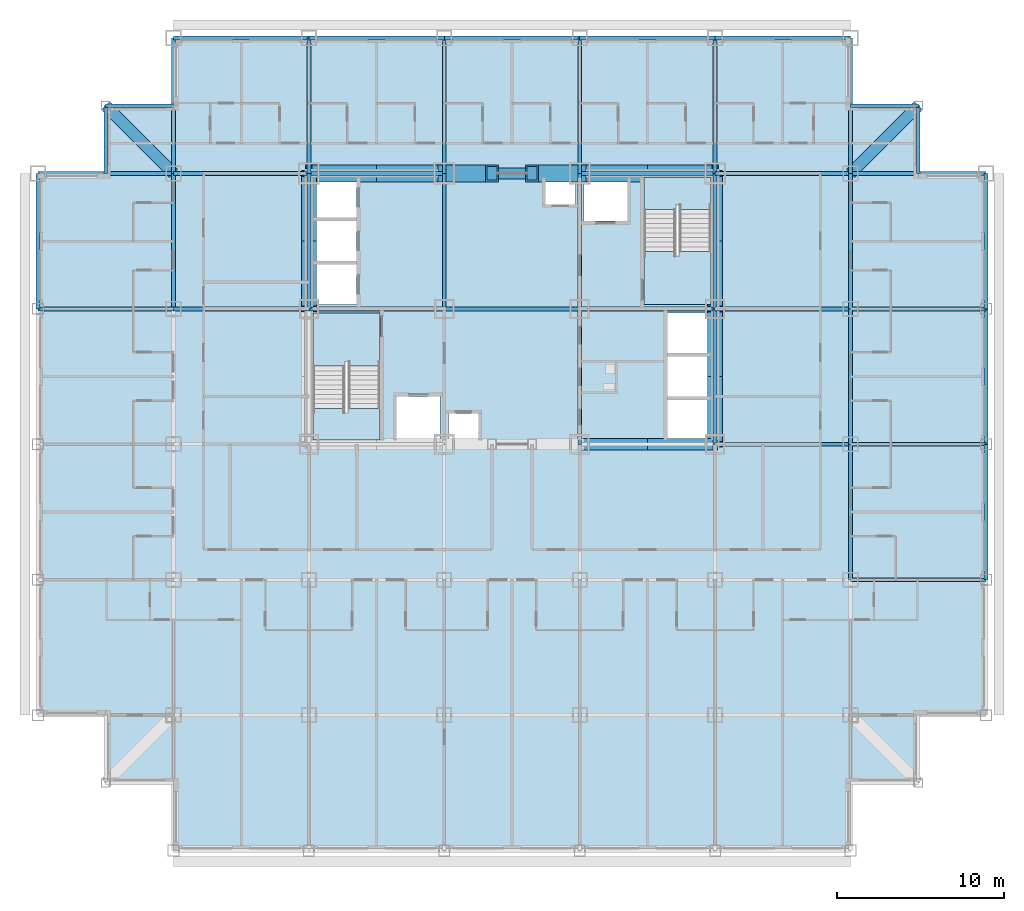
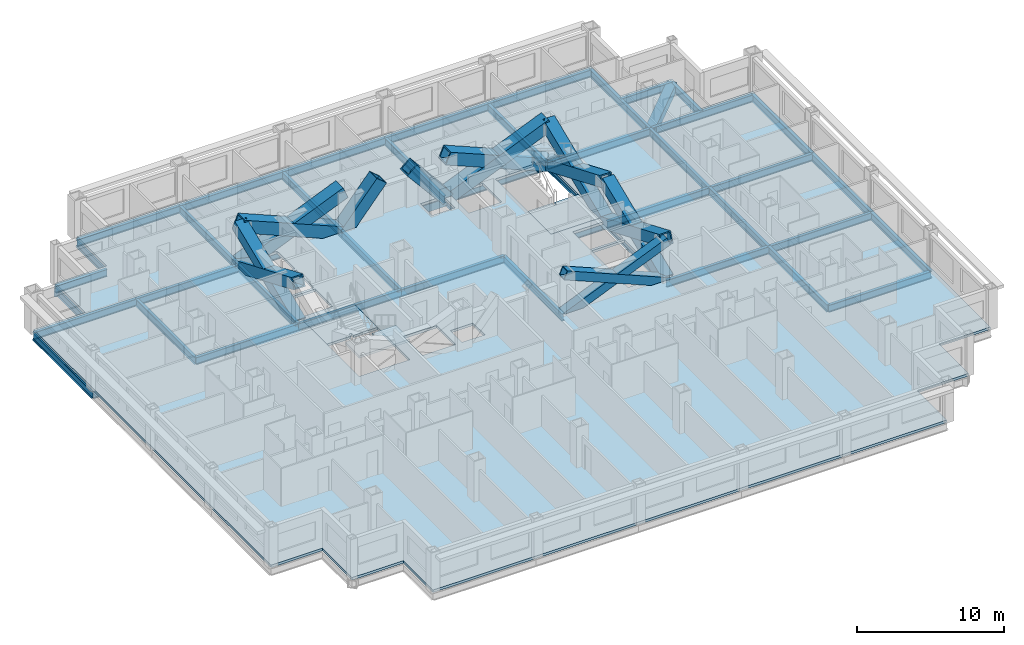
# One storey, part 2 of 13: 48 beams, 14 members, 5 slabs, 2 elements without a shape of their own.
"""IFC4 building model written with IfcOpenShell, lengths in metres."""

from ifc_helpers import new_model, si_unit, direction, frame, origin, origin_2d, place, context, subcontext, project, spatial, polyline, hollow_rectangle, i_section, outline, extrude, material, layer, layer_set, material_profile, profile_set, type_object, element, aggregate, save


model = new_model("IFC4")

# Units and contexts
model_context = context("Model", 3, precision=1e-05, world=origin(), true_north=direction((0.0, 1.0)))
body_context = subcontext(model_context, "Body", "Model", "MODEL_VIEW")
ifc_project = project(units=[si_unit("LENGTHUNIT", "METRE"), si_unit("AREAUNIT", "SQUARE_METRE"), si_unit("VOLUMEUNIT", "CUBIC_METRE"), si_unit("PLANEANGLEUNIT", "RADIAN"), si_unit("MASSUNIT", "GRAM", prefix="KILO")], contexts=[model_context])

# Site, building, storey
site_placement = place(None, origin())
site = spatial("IfcSite", under=ifc_project, at=site_placement, CompositionType="ELEMENT")
building_placement = place(site_placement, origin())
building = spatial("IfcBuilding", under=site, at=building_placement, Name="Kopane Lantern Tower", CompositionType="ELEMENT")
storey_placement = place(building_placement, frame((0.0, 0.0, 50.0)))
storey = spatial("IfcBuildingStorey", under=building, at=storey_placement, Name="L11", CompositionType="ELEMENT", Elevation=50.0)

# Members
ifc_material_1 = material(Name="Steel S355JR", Category="steel")
ifc_material_profile_1 = material_profile(ifc_material_1, hollow_rectangle(XDim=1.0, YDim=1.0, WallThickness=0.10009765625, at=origin_2d()), Name="BOX 1000x1000x100")
ifc_profile_set_1 = profile_set([ifc_material_profile_1], Name="Steel S355JR")
member_type_1 = type_object("IfcMemberType", Name="BRACE BOX 1000x1000x100", PredefinedType="BRACE", material=ifc_profile_set_1)
for number, where, z_axis, x_axis, name in (
    (1, (16.199951171875, 40.5, -0.2099609375), (0.922069000757, 0.0, 0.387025526088), (0.0, 1.0, 0.0), "Core brace L11"),
    (2, (24.300048828125, 40.5, -0.2099609375), (-0.922069000757, 0.0, 0.387025526088), (0.0, -1.0, 0.0), "Core brace L11"),
):
    element("IfcMember", number, at=place(storey_placement, frame(where, z_axis=z_axis, x_axis=x_axis)), inside=storey, type_object=member_type_1, Name=name, PredefinedType="BRACE", context=body_context, shape_type="SweptSolid", body=[
        extrude(hollow_rectangle(XDim=1.0, YDim=1.0, WallThickness=0.10009765625, at=origin_2d()), origin(), (0.0, 0.0, 1.0), 8.78466796875),
    ])
for number, where, z_axis, x_axis, name in (
    (3, (24.300048828125, 40.5, -0.2099609375), (0.642390257445, 0.0, 0.7663776857), (0.0, 1.0, 0.0), "Core brace L11"),
    (4, (32.39990234375, 40.5, -0.2099609375), (-0.642390257445, 0.0, 0.7663776857), (0.0, -1.0, 0.0), "Core brace L11"),
):
    element("IfcMember", number, at=place(storey_placement, frame(where, z_axis=z_axis, x_axis=x_axis)), inside=storey, type_object=member_type_1, Name=name, PredefinedType="BRACE", context=body_context, shape_type="SweptSolid", body=[
        extrude(hollow_rectangle(XDim=1.0, YDim=1.0, WallThickness=0.10009765625, at=origin_2d()), origin(), (0.0, 0.0, 1.0), 4.436279296875),
    ])
for number, where, z_axis, x_axis, name in (
    (5, (32.39990234375, 40.5, -0.2099609375), (0.922069000757, 0.0, 0.387025526088), (0.0, 1.0, 0.0), "Core brace L11"),
    (6, (40.5, 40.5, -0.2099609375), (-0.922069000757, 0.0, 0.387025526088), (0.0, -1.0, 0.0), "Core brace L11"),
):
    element("IfcMember", number, at=place(storey_placement, frame(where, z_axis=z_axis, x_axis=x_axis)), inside=storey, type_object=member_type_1, Name=name, PredefinedType="BRACE", context=body_context, shape_type="SweptSolid", body=[
        extrude(hollow_rectangle(XDim=1.0, YDim=1.0, WallThickness=0.10009765625, at=origin_2d()), origin(), (0.0, 0.0, 1.0), 8.78466796875),
    ])
ifc_material_2 = material(Name="Steel S355JR", Category="steel")
ifc_material_profile_2 = material_profile(ifc_material_2, hollow_rectangle(XDim=0.699951171875, YDim=0.699951171875, WallThickness=0.06005859375, at=origin_2d()), Name="BOX 700x700x60")
ifc_profile_set_2 = profile_set([ifc_material_profile_2], Name="Steel S355JR")
member_type_2 = type_object("IfcMemberType", Name="BRACE BOX 700x700x60", PredefinedType="BRACE", material=ifc_profile_set_2)
for number, where, z_axis, x_axis, name in (
    (7, (32.39990234375, 24.300048828125, -0.2099609375), (0.922069000757, 0.0, 0.387025526088), (0.0, 1.0, 0.0), "Core brace L11"),
    (8, (40.5, 24.300048828125, -0.2099609375), (-0.922069000757, 0.0, 0.387025526088), (0.0, -1.0, 0.0), "Core brace L11"),
):
    element("IfcMember", number, at=place(storey_placement, frame(where, z_axis=z_axis, x_axis=x_axis)), inside=storey, type_object=member_type_2, Name=name, PredefinedType="BRACE", context=body_context, shape_type="SweptSolid", body=[
        extrude(hollow_rectangle(XDim=0.699951171875, YDim=0.699951171875, WallThickness=0.06005859375, at=origin_2d()), origin(), (0.0, 0.0, 1.0), 8.78466796875),
    ])
ifc_material_3 = material(Name="Steel S355JR", Category="steel")
ifc_material_profile_3 = material_profile(ifc_material_3, hollow_rectangle(XDim=0.89990234375, YDim=0.89990234375, WallThickness=0.090087890625, at=origin_2d()), Name="BOX 900x900x90")
ifc_profile_set_3 = profile_set([ifc_material_profile_3], Name="Steel S355JR")
member_type_3 = type_object("IfcMemberType", Name="BRACE BOX 900x900x90", PredefinedType="BRACE", material=ifc_profile_set_3)
for number, where, z_axis, x_axis, name in (
    (9, (16.199951171875, 32.39990234375, -0.2099609375), (0.0, 0.922069000757, 0.387025526088), (-1.0, 0.0, 0.0), "Core brace L11"),
    (10, (16.199951171875, 40.5, -0.2099609375), (0.0, -0.922069000757, 0.387025526088), (1.0, 0.0, 0.0), "Core brace L11"),
):
    element("IfcMember", number, at=place(storey_placement, frame(where, z_axis=z_axis, x_axis=x_axis)), inside=storey, type_object=member_type_3, Name=name, PredefinedType="BRACE", context=body_context, shape_type="SweptSolid", body=[
        extrude(hollow_rectangle(XDim=0.89990234375, YDim=0.89990234375, WallThickness=0.090087890625, at=origin_2d()), origin(), (0.0, 0.0, 1.0), 8.78466796875),
    ])
for number, where, z_axis, x_axis, name in (
    (11, (40.5, 24.300048828125, -0.2099609375), (0.0, 0.922064837731, 0.38703544414), (-1.0, 0.0, 0.0), "Core brace L11"),
    (12, (40.5, 32.39990234375, -0.2099609375), (0.0, -0.922064837731, 0.38703544414), (1.0, 0.0, 0.0), "Core brace L11"),
):
    element("IfcMember", number, at=place(storey_placement, frame(where, z_axis=z_axis, x_axis=x_axis)), inside=storey, type_object=member_type_3, Name=name, PredefinedType="BRACE", context=body_context, shape_type="SweptSolid", body=[
        extrude(hollow_rectangle(XDim=0.89990234375, YDim=0.89990234375, WallThickness=0.090087890625, at=origin_2d()), origin(), (0.0, 0.0, 1.0), 8.784423828125),
    ])
for number, where, z_axis, x_axis, name in (
    (13, (40.5, 32.39990234375, -0.2099609375), (0.0, 0.922069000757, 0.387025526088), (-1.0, 0.0, 0.0), "Core brace L11"),
    (14, (40.5, 40.5, -0.2099609375), (0.0, -0.922069000757, 0.387025526088), (1.0, 0.0, 0.0), "Core brace L11"),
):
    element("IfcMember", number, at=place(storey_placement, frame(where, z_axis=z_axis, x_axis=x_axis)), inside=storey, type_object=member_type_3, Name=name, PredefinedType="BRACE", context=body_context, shape_type="SweptSolid", body=[
        extrude(hollow_rectangle(XDim=0.89990234375, YDim=0.89990234375, WallThickness=0.090087890625, at=origin_2d()), origin(), (0.0, 0.0, 1.0), 8.78466796875),
    ])

# Beams
ifc_material_4 = material(Name="Steel S355JR", Category="steel")
ifc_material_profile_4 = material_profile(ifc_material_4, i_section(OverallWidth=0.22900390625, OverallDepth=0.6123046875, WebThickness=0.011962890625, FlangeThickness=0.01953125, FilletRadius=0.0126953125, at=origin_2d()), Name="UB 610x229x125")
ifc_profile_set_4 = profile_set([ifc_material_profile_4], Name="Steel S355JR")
beam_type_1 = type_object("IfcBeamType", Name="CORE BEAM UB 610x229x125", PredefinedType="BEAM", material=ifc_profile_set_4)
for number, where, z_axis, x_axis, name in (
    (15, (16.199951171875, 32.39990234375, -0.51611328125), (1.0, 0.0, 0.0), (0.0, 1.0, 0.0), "Core Beam L11"),
    (16, (24.300048828125, 32.39990234375, -0.51611328125), (0.0, 1.0, 0.0), (-1.0, 0.0, 0.0), "Core Beam L11"),
):
    element("IfcBeam", number, at=place(storey_placement, frame(where, z_axis=z_axis, x_axis=x_axis)), inside=storey, type_object=beam_type_1, Name=name, PredefinedType="BEAM", context=body_context, shape_type="SweptSolid", body=[
        extrude(i_section(OverallWidth=0.22900390625, OverallDepth=0.6123046875, WebThickness=0.011962890625, FlangeThickness=0.01953125, FilletRadius=0.0126953125, at=origin_2d()), origin(), (0.0, 0.0, 1.0), 8.10009765625),
    ])
for number, where, z_axis, x_axis, name in (
    (17, (24.300048828125, 32.39990234375, -0.51611328125), (1.0, 0.0, 0.0), (0.0, 1.0, 0.0), "Core Beam L11"),
    (18, (32.39990234375, 24.300048828125, -0.51611328125), (0.0, 1.0, 0.0), (-1.0, 0.0, 0.0), "Core Beam L11"),
):
    element("IfcBeam", number, at=place(storey_placement, frame(where, z_axis=z_axis, x_axis=x_axis)), inside=storey, type_object=beam_type_1, Name=name, PredefinedType="BEAM", context=body_context, shape_type="SweptSolid", body=[
        extrude(i_section(OverallWidth=0.22900390625, OverallDepth=0.6123046875, WebThickness=0.011962890625, FlangeThickness=0.01953125, FilletRadius=0.0126953125, at=origin_2d()), origin(), (0.0, 0.0, 1.0), 8.099853515625),
    ])
for number, where, z_axis, x_axis, name in (
    (19, (32.39990234375, 32.39990234375, -0.51611328125), (0.0, 1.0, 0.0), (-1.0, 0.0, 0.0), "Core Beam L11"),
    (20, (32.39990234375, 32.39990234375, -0.51611328125), (1.0, 0.0, 0.0), (0.0, 1.0, 0.0), "Core Beam L11"),
):
    element("IfcBeam", number, at=place(storey_placement, frame(where, z_axis=z_axis, x_axis=x_axis)), inside=storey, type_object=beam_type_1, Name=name, PredefinedType="BEAM", context=body_context, shape_type="SweptSolid", body=[
        extrude(i_section(OverallWidth=0.22900390625, OverallDepth=0.6123046875, WebThickness=0.011962890625, FlangeThickness=0.01953125, FilletRadius=0.0126953125, at=origin_2d()), origin(), (0.0, 0.0, 1.0), 8.10009765625),
    ])
ifc_material_5 = material(Name="Steel S355JR", Category="steel")
ifc_material_profile_5 = material_profile(ifc_material_5, hollow_rectangle(XDim=0.699951171875, YDim=0.699951171875, WallThickness=0.06005859375, at=origin_2d()), Name="BOX 700x700x60")
ifc_profile_set_5 = profile_set([ifc_material_profile_5], Name="Steel S355JR")
beam_type_2 = type_object("IfcBeamType", Name="CORNER TIE BEAM BOX 700x700x60", PredefinedType="BEAM", material=ifc_profile_set_5)
for number, where, z_axis, x_axis, name in (
    (21, (4.050048828125, 44.550048828125, -0.56005859375), (0.707106781187, -0.707106781187, 0.0), (0.707106781187, 0.707106781187, 0.0), "Corner Tie Beam L11"),
    (22, (52.64990234375, 44.550048828125, -0.56005859375), (-0.707085467703, -0.707128094028, 0.0), (0.707128094028, -0.707085467703, 0.0), "Corner Tie Beam L11"),
):
    element("IfcBeam", number, at=place(storey_placement, frame(where, z_axis=z_axis, x_axis=x_axis)), inside=storey, type_object=beam_type_2, Name=name, PredefinedType="BEAM", context=body_context, shape_type="SweptSolid", body=[
        extrude(hollow_rectangle(XDim=0.699951171875, YDim=0.699951171875, WallThickness=0.06005859375, at=origin_2d()), origin(), (0.0, 0.0, 1.0), 5.7275390625),
    ])
ifc_material_6 = material(Name="Steel S355JR", Category="steel")
ifc_material_profile_6 = material_profile(ifc_material_6, i_section(OverallWidth=0.22900390625, OverallDepth=0.6123046875, WebThickness=0.011962890625, FlangeThickness=0.01953125, FilletRadius=0.0126953125, at=origin_2d()), Name="UB 610x229x125")
ifc_profile_set_6 = profile_set([ifc_material_profile_6], Name="Steel S355JR")
beam_type_3 = type_object("IfcBeamType", Name="EDGE BEAM UB 610x229x125", PredefinedType="BEAM", material=ifc_profile_set_6)
for number, where, z_axis, x_axis, name in (
    (23, (4.050048828125, 44.550048828125, -0.51611328125), (0.0, -1.0, 0.0), (1.0, 0.0, 0.0), "Edge Beam L11"),
    (24, (4.050048828125, 44.550048828125, -0.51611328125), (1.0, 0.0, 0.0), (0.0, 1.0, 0.0), "Edge Beam L11"),
):
    element("IfcBeam", number, at=place(storey_placement, frame(where, z_axis=z_axis, x_axis=x_axis)), inside=storey, type_object=beam_type_3, Name=name, PredefinedType="BEAM", context=body_context, shape_type="SweptSolid", body=[
        extrude(i_section(OverallWidth=0.22900390625, OverallDepth=0.6123046875, WebThickness=0.011962890625, FlangeThickness=0.01953125, FilletRadius=0.0126953125, at=origin_2d()), origin(), (0.0, 0.0, 1.0), 4.050048828125),
    ])
beam_1_placement = place(storey_placement, frame((52.64990234375, 44.550048828125, -0.51611328125), z_axis=(-1.0, 0.0, 0.0), x_axis=(0.0, -1.0, 0.0)))
element("IfcBeam", 25, at=beam_1_placement, inside=storey, type_object=beam_type_3, Name="Edge Beam L11", PredefinedType="BEAM", context=body_context, shape_type="SweptSolid", body=[
    extrude(i_section(OverallWidth=0.22900390625, OverallDepth=0.6123046875, WebThickness=0.011962890625, FlangeThickness=0.01953125, FilletRadius=0.0126953125, at=origin_2d()), origin(), (0.0, 0.0, 1.0), 4.0498046875),
])
beam_2_placement = place(storey_placement, frame((52.64990234375, 44.550048828125, -0.51611328125), z_axis=(0.0, -1.0, 0.0), x_axis=(1.0, 0.0, 0.0)))
element("IfcBeam", 26, at=beam_2_placement, inside=storey, type_object=beam_type_3, Name="Edge Beam L11", PredefinedType="BEAM", context=body_context, shape_type="SweptSolid", body=[
    extrude(i_section(OverallWidth=0.22900390625, OverallDepth=0.6123046875, WebThickness=0.011962890625, FlangeThickness=0.01953125, FilletRadius=0.0126953125, at=origin_2d()), origin(), (0.0, 0.0, 1.0), 4.050048828125),
])
ifc_material_7 = material(Name="Steel S355JR", Category="steel")
ifc_material_profile_7 = material_profile(ifc_material_7, i_section(OverallWidth=0.22900390625, OverallDepth=0.6123046875, WebThickness=0.011962890625, FlangeThickness=0.01953125, FilletRadius=0.0126953125, at=origin_2d()), Name="UB 610x229x125")
ifc_profile_set_7 = profile_set([ifc_material_profile_7], Name="Steel S355JR")
beam_type_4 = type_object("IfcBeamType", Name="GIRDER UB 610x229x125", PredefinedType="BEAM", material=ifc_profile_set_7)
for number, where, z_axis, x_axis, name in (
    (27, (0.0, 32.39990234375, -0.51611328125), (0.0, 1.0, 0.0), (-1.0, 0.0, 0.0), "Girder L11"),
    (28, (0.0, 32.39990234375, -0.51611328125), (1.0, 0.0, 0.0), (0.0, 1.0, 0.0), "Girder L11"),
    (29, (0.0, 40.5, -0.51611328125), (1.0, 0.0, 0.0), (0.0, 1.0, 0.0), "Girder L11"),
    (30, (8.10009765625, 32.39990234375, -0.51611328125), (0.0, 1.0, 0.0), (-1.0, 0.0, 0.0), "Girder L11"),
):
    element("IfcBeam", number, at=place(storey_placement, frame(where, z_axis=z_axis, x_axis=x_axis)), inside=storey, type_object=beam_type_4, Name=name, PredefinedType="BEAM", context=body_context, shape_type="SweptSolid", body=[
        extrude(i_section(OverallWidth=0.22900390625, OverallDepth=0.6123046875, WebThickness=0.011962890625, FlangeThickness=0.01953125, FilletRadius=0.0126953125, at=origin_2d()), origin(), (0.0, 0.0, 1.0), 8.10009765625),
    ])
beam_3_placement = place(storey_placement, frame((8.10009765625, 32.39990234375, -0.51611328125), z_axis=(1.0, 0.0, 0.0), x_axis=(0.0, 1.0, 0.0)))
element("IfcBeam", 31, at=beam_3_placement, inside=storey, type_object=beam_type_4, Name="Girder L11", PredefinedType="BEAM", context=body_context, shape_type="SweptSolid", body=[
    extrude(i_section(OverallWidth=0.22900390625, OverallDepth=0.6123046875, WebThickness=0.011962890625, FlangeThickness=0.01953125, FilletRadius=0.0126953125, at=origin_2d()), origin(), (0.0, 0.0, 1.0), 8.099853515625),
])
beam_4_placement = place(storey_placement, frame((8.10009765625, 40.5, -0.51611328125), z_axis=(0.0, 1.0, 0.0), x_axis=(-1.0, 0.0, 0.0)))
element("IfcBeam", 32, at=beam_4_placement, inside=storey, type_object=beam_type_4, Name="Girder L11", PredefinedType="BEAM", context=body_context, shape_type="SweptSolid", body=[
    extrude(i_section(OverallWidth=0.22900390625, OverallDepth=0.6123046875, WebThickness=0.011962890625, FlangeThickness=0.01953125, FilletRadius=0.0126953125, at=origin_2d()), origin(), (0.0, 0.0, 1.0), 8.10009765625),
])
for number, where, z_axis, x_axis, name in (
    (33, (8.10009765625, 40.5, -0.51611328125), (1.0, 0.0, 0.0), (0.0, 1.0, 0.0), "Girder L11"),
    (34, (8.10009765625, 48.60009765625, -0.51611328125), (1.0, 0.0, 0.0), (0.0, 1.0, 0.0), "Girder L11"),
):
    element("IfcBeam", number, at=place(storey_placement, frame(where, z_axis=z_axis, x_axis=x_axis)), inside=storey, type_object=beam_type_4, Name=name, PredefinedType="BEAM", context=body_context, shape_type="SweptSolid", body=[
        extrude(i_section(OverallWidth=0.22900390625, OverallDepth=0.6123046875, WebThickness=0.011962890625, FlangeThickness=0.01953125, FilletRadius=0.0126953125, at=origin_2d()), origin(), (0.0, 0.0, 1.0), 8.099853515625),
    ])
for number, where, z_axis, x_axis, name in (
    (35, (16.199951171875, 32.39990234375, -0.51611328125), (0.0, 1.0, 0.0), (-1.0, 0.0, 0.0), "Girder L11"),
    (36, (16.199951171875, 40.5, -0.51611328125), (0.0, 1.0, 0.0), (-1.0, 0.0, 0.0), "Girder L11"),
    (37, (16.199951171875, 40.5, -0.51611328125), (1.0, 0.0, 0.0), (0.0, 1.0, 0.0), "Girder L11"),
    (38, (16.199951171875, 48.60009765625, -0.51611328125), (1.0, 0.0, 0.0), (0.0, 1.0, 0.0), "Girder L11"),
    (39, (24.300048828125, 40.5, -0.51611328125), (0.0, 1.0, 0.0), (-1.0, 0.0, 0.0), "Girder L11"),
):
    element("IfcBeam", number, at=place(storey_placement, frame(where, z_axis=z_axis, x_axis=x_axis)), inside=storey, type_object=beam_type_4, Name=name, PredefinedType="BEAM", context=body_context, shape_type="SweptSolid", body=[
        extrude(i_section(OverallWidth=0.22900390625, OverallDepth=0.6123046875, WebThickness=0.011962890625, FlangeThickness=0.01953125, FilletRadius=0.0126953125, at=origin_2d()), origin(), (0.0, 0.0, 1.0), 8.10009765625),
    ])
beam_5_placement = place(storey_placement, frame((24.300048828125, 48.60009765625, -0.51611328125), z_axis=(1.0, 0.0, 0.0), x_axis=(0.0, 1.0, 0.0)))
element("IfcBeam", 40, at=beam_5_placement, inside=storey, type_object=beam_type_4, Name="Girder L11", PredefinedType="BEAM", context=body_context, shape_type="SweptSolid", body=[
    extrude(i_section(OverallWidth=0.22900390625, OverallDepth=0.6123046875, WebThickness=0.011962890625, FlangeThickness=0.01953125, FilletRadius=0.0126953125, at=origin_2d()), origin(), (0.0, 0.0, 1.0), 8.099853515625),
])
for number, where, z_axis, x_axis, name in (
    (41, (32.39990234375, 40.5, -0.51611328125), (0.0, 1.0, 0.0), (-1.0, 0.0, 0.0), "Girder L11"),
    (42, (32.39990234375, 40.5, -0.51611328125), (1.0, 0.0, 0.0), (0.0, 1.0, 0.0), "Girder L11"),
    (43, (32.39990234375, 48.60009765625, -0.51611328125), (1.0, 0.0, 0.0), (0.0, 1.0, 0.0), "Girder L11"),
):
    element("IfcBeam", number, at=place(storey_placement, frame(where, z_axis=z_axis, x_axis=x_axis)), inside=storey, type_object=beam_type_4, Name=name, PredefinedType="BEAM", context=body_context, shape_type="SweptSolid", body=[
        extrude(i_section(OverallWidth=0.22900390625, OverallDepth=0.6123046875, WebThickness=0.011962890625, FlangeThickness=0.01953125, FilletRadius=0.0126953125, at=origin_2d()), origin(), (0.0, 0.0, 1.0), 8.10009765625),
    ])
beam_6_placement = place(storey_placement, frame((40.5, 24.300048828125, -0.51611328125), z_axis=(0.0, 1.0, 0.0), x_axis=(-1.0, 0.0, 0.0)))
element("IfcBeam", 44, at=beam_6_placement, inside=storey, type_object=beam_type_4, Name="Girder L11", PredefinedType="BEAM", context=body_context, shape_type="SweptSolid", body=[
    extrude(i_section(OverallWidth=0.22900390625, OverallDepth=0.6123046875, WebThickness=0.011962890625, FlangeThickness=0.01953125, FilletRadius=0.0126953125, at=origin_2d()), origin(), (0.0, 0.0, 1.0), 8.099853515625),
])
for number, where, z_axis, x_axis, name in (
    (45, (40.5, 24.300048828125, -0.51611328125), (1.0, 0.0, 0.0), (0.0, 1.0, 0.0), "Girder L11"),
    (46, (40.5, 32.39990234375, -0.51611328125), (0.0, 1.0, 0.0), (-1.0, 0.0, 0.0), "Girder L11"),
    (47, (40.5, 32.39990234375, -0.51611328125), (1.0, 0.0, 0.0), (0.0, 1.0, 0.0), "Girder L11"),
    (48, (40.5, 40.5, -0.51611328125), (0.0, 1.0, 0.0), (-1.0, 0.0, 0.0), "Girder L11"),
    (49, (40.5, 40.5, -0.51611328125), (1.0, 0.0, 0.0), (0.0, 1.0, 0.0), "Girder L11"),
    (50, (40.5, 48.60009765625, -0.51611328125), (1.0, 0.0, 0.0), (0.0, 1.0, 0.0), "Girder L11"),
    (51, (48.60009765625, 16.199951171875, -0.51611328125), (0.0, 1.0, 0.0), (-1.0, 0.0, 0.0), "Girder L11"),
):
    element("IfcBeam", number, at=place(storey_placement, frame(where, z_axis=z_axis, x_axis=x_axis)), inside=storey, type_object=beam_type_4, Name=name, PredefinedType="BEAM", context=body_context, shape_type="SweptSolid", body=[
        extrude(i_section(OverallWidth=0.22900390625, OverallDepth=0.6123046875, WebThickness=0.011962890625, FlangeThickness=0.01953125, FilletRadius=0.0126953125, at=origin_2d()), origin(), (0.0, 0.0, 1.0), 8.10009765625),
    ])
for number, where, z_axis, x_axis, name in (
    (52, (48.60009765625, 16.199951171875, -0.51611328125), (1.0, 0.0, 0.0), (0.0, 1.0, 0.0), "Girder L11"),
    (53, (48.60009765625, 24.300048828125, -0.51611328125), (0.0, 1.0, 0.0), (-1.0, 0.0, 0.0), "Girder L11"),
    (54, (48.60009765625, 24.300048828125, -0.51611328125), (1.0, 0.0, 0.0), (0.0, 1.0, 0.0), "Girder L11"),
):
    element("IfcBeam", number, at=place(storey_placement, frame(where, z_axis=z_axis, x_axis=x_axis)), inside=storey, type_object=beam_type_4, Name=name, PredefinedType="BEAM", context=body_context, shape_type="SweptSolid", body=[
        extrude(i_section(OverallWidth=0.22900390625, OverallDepth=0.6123046875, WebThickness=0.011962890625, FlangeThickness=0.01953125, FilletRadius=0.0126953125, at=origin_2d()), origin(), (0.0, 0.0, 1.0), 8.099853515625),
    ])
beam_7_placement = place(storey_placement, frame((48.60009765625, 32.39990234375, -0.51611328125), z_axis=(0.0, 1.0, 0.0), x_axis=(-1.0, 0.0, 0.0)))
element("IfcBeam", 55, at=beam_7_placement, inside=storey, type_object=beam_type_4, Name="Girder L11", PredefinedType="BEAM", context=body_context, shape_type="SweptSolid", body=[
    extrude(i_section(OverallWidth=0.22900390625, OverallDepth=0.6123046875, WebThickness=0.011962890625, FlangeThickness=0.01953125, FilletRadius=0.0126953125, at=origin_2d()), origin(), (0.0, 0.0, 1.0), 8.10009765625),
])
beam_8_placement = place(storey_placement, frame((48.60009765625, 32.39990234375, -0.51611328125), z_axis=(1.0, 0.0, 0.0), x_axis=(0.0, 1.0, 0.0)))
element("IfcBeam", 56, at=beam_8_placement, inside=storey, type_object=beam_type_4, Name="Girder L11", PredefinedType="BEAM", context=body_context, shape_type="SweptSolid", body=[
    extrude(i_section(OverallWidth=0.22900390625, OverallDepth=0.6123046875, WebThickness=0.011962890625, FlangeThickness=0.01953125, FilletRadius=0.0126953125, at=origin_2d()), origin(), (0.0, 0.0, 1.0), 8.099853515625),
])
beam_9_placement = place(storey_placement, frame((48.60009765625, 40.5, -0.51611328125), z_axis=(0.0, 1.0, 0.0), x_axis=(-1.0, 0.0, 0.0)))
element("IfcBeam", 57, at=beam_9_placement, inside=storey, type_object=beam_type_4, Name="Girder L11", PredefinedType="BEAM", context=body_context, shape_type="SweptSolid", body=[
    extrude(i_section(OverallWidth=0.22900390625, OverallDepth=0.6123046875, WebThickness=0.011962890625, FlangeThickness=0.01953125, FilletRadius=0.0126953125, at=origin_2d()), origin(), (0.0, 0.0, 1.0), 8.10009765625),
])
beam_10_placement = place(storey_placement, frame((48.60009765625, 40.5, -0.51611328125), z_axis=(1.0, 0.0, 0.0), x_axis=(0.0, 1.0, 0.0)))
element("IfcBeam", 58, at=beam_10_placement, inside=storey, type_object=beam_type_4, Name="Girder L11", PredefinedType="BEAM", context=body_context, shape_type="SweptSolid", body=[
    extrude(i_section(OverallWidth=0.22900390625, OverallDepth=0.6123046875, WebThickness=0.011962890625, FlangeThickness=0.01953125, FilletRadius=0.0126953125, at=origin_2d()), origin(), (0.0, 0.0, 1.0), 8.099853515625),
])
beam_11_placement = place(storey_placement, frame((56.699951171875, 16.199951171875, -0.51611328125), z_axis=(0.0, 1.0, 0.0), x_axis=(-1.0, 0.0, 0.0)))
element("IfcBeam", 59, at=beam_11_placement, inside=storey, type_object=beam_type_4, Name="Girder L11", PredefinedType="BEAM", context=body_context, shape_type="SweptSolid", body=[
    extrude(i_section(OverallWidth=0.22900390625, OverallDepth=0.6123046875, WebThickness=0.011962890625, FlangeThickness=0.01953125, FilletRadius=0.0126953125, at=origin_2d()), origin(), (0.0, 0.0, 1.0), 8.10009765625),
])
beam_12_placement = place(storey_placement, frame((56.699951171875, 24.300048828125, -0.51611328125), z_axis=(0.0, 1.0, 0.0), x_axis=(-1.0, 0.0, 0.0)))
element("IfcBeam", 60, at=beam_12_placement, inside=storey, type_object=beam_type_4, Name="Girder L11", PredefinedType="BEAM", context=body_context, shape_type="SweptSolid", body=[
    extrude(i_section(OverallWidth=0.22900390625, OverallDepth=0.6123046875, WebThickness=0.011962890625, FlangeThickness=0.01953125, FilletRadius=0.0126953125, at=origin_2d()), origin(), (0.0, 0.0, 1.0), 8.099853515625),
])
beam_13_placement = place(storey_placement, frame((56.699951171875, 32.39990234375, -0.51611328125), z_axis=(0.0, 1.0, 0.0), x_axis=(-1.0, 0.0, 0.0)))
element("IfcBeam", 61, at=beam_13_placement, inside=storey, type_object=beam_type_4, Name="Girder L11", PredefinedType="BEAM", context=body_context, shape_type="SweptSolid", body=[
    extrude(i_section(OverallWidth=0.22900390625, OverallDepth=0.6123046875, WebThickness=0.011962890625, FlangeThickness=0.01953125, FilletRadius=0.0126953125, at=origin_2d()), origin(), (0.0, 0.0, 1.0), 8.10009765625),
])
ifc_material_8 = material(Name="Steel S355JR", Category="steel")
ifc_material_profile_8 = material_profile(ifc_material_8, hollow_rectangle(XDim=0.64990234375, YDim=0.64990234375, WallThickness=0.070068359375, at=origin_2d()), Name="BOX 650x650x70")
ifc_profile_set_8 = profile_set([ifc_material_profile_8], Name="Steel S355JR")
beam_type_5 = type_object("IfcBeamType", Name="LINK BEAM BOX 650x650x70", PredefinedType="BEAM", material=ifc_profile_set_8)
beam_14_placement = place(storey_placement, frame((24.300048828125, 40.5, -0.534912109375), z_axis=(1.0, 0.0, 0.0), x_axis=(0.0, 1.0, 0.0)))
element("IfcBeam", 62, at=beam_14_placement, inside=storey, type_object=beam_type_5, Name="Link Beam L11", PredefinedType="BEAM", context=body_context, shape_type="SweptSolid", body=[
    extrude(hollow_rectangle(XDim=0.64990234375, YDim=0.64990234375, WallThickness=0.070068359375, at=origin_2d()), origin(), (0.0, 0.0, 1.0), 8.099853515625),
])

# Slab
ifc_material_9 = material(Name="Concrete C40/50", Category="concrete")
ifc_layer_1 = layer(ifc_material_9, 0.2099609375)
ifc_layer_set_1 = layer_set([ifc_layer_1], Name="SLAB 210 COMPOSITE")
slab_type_1 = type_object("IfcSlabType", Name="SLAB 210 COMPOSITE", PredefinedType="FLOOR", material=ifc_layer_set_1)
slab_1_placement = place(storey_placement, frame((0.0, 0.0, -0.2099609375)))
element("IfcSlab", 63, at=slab_1_placement, inside=storey, type_object=slab_type_1, Name="Floor slab L11", PredefinedType="FLOOR", context=body_context, shape_type="SweptSolid", body=[
    extrude(outline(polyline([(8.10009765625, 0.0), (48.60009765625, 0.0), (48.60009765625, 4.050048828125), (52.64990234375, 4.050048828125), (52.64990234375, 8.10009765625), (56.699951171875, 8.10009765625), (56.699951171875, 40.5), (52.64990234375, 40.5), (52.64990234375, 44.550048828125), (48.60009765625, 44.550048828125), (48.60009765625, 48.60009765625), (8.10009765625, 48.60009765625), (8.10009765625, 44.550048828125), (4.050048828125, 44.550048828125), (4.050048828125, 40.5), (0.0, 40.5), (0.0, 8.10009765625), (4.050048828125, 8.10009765625), (4.050048828125, 4.050048828125), (8.10009765625, 4.050048828125), (8.10009765625, 0.0)]), holes=[polyline([(16.449951171875, 24.550048828125), (20.449951171875, 24.550048828125), (20.449951171875, 32.14990234375), (16.449951171875, 32.14990234375), (16.449951171875, 24.550048828125)]), polyline([(36.25, 32.64990234375), (40.25, 32.64990234375), (40.25, 40.25), (36.25, 40.25), (36.25, 32.64990234375)]), polyline([(16.449951171875, 32.64990234375), (19.050048828125, 32.64990234375), (19.050048828125, 35.050048828125), (16.449951171875, 35.050048828125), (16.449951171875, 32.64990234375)]), polyline([(16.449951171875, 35.25), (19.050048828125, 35.25), (19.050048828125, 37.64990234375), (16.449951171875, 37.64990234375), (16.449951171875, 35.25)]), polyline([(16.449951171875, 37.85009765625), (19.050048828125, 37.85009765625), (19.050048828125, 40.25), (16.449951171875, 40.25), (16.449951171875, 37.85009765625)]), polyline([(37.64990234375, 24.550048828125), (40.25, 24.550048828125), (40.25, 26.949951171875), (37.64990234375, 26.949951171875), (37.64990234375, 24.550048828125)]), polyline([(37.64990234375, 27.14990234375), (40.25, 27.14990234375), (40.25, 29.550048828125), (37.64990234375, 29.550048828125), (37.64990234375, 27.14990234375)]), polyline([(37.64990234375, 29.75), (40.25, 29.75), (40.25, 32.14990234375), (37.64990234375, 32.14990234375), (37.64990234375, 29.75)]), polyline([(21.449951171875, 24.550048828125), (24.050048828125, 24.550048828125), (24.050048828125, 27.14990234375), (21.449951171875, 27.14990234375), (21.449951171875, 24.550048828125)]), polyline([(32.64990234375, 37.64990234375), (35.25, 37.64990234375), (35.25, 40.25), (32.64990234375, 40.25), (32.64990234375, 37.64990234375)]), polyline([(24.550048828125, 24.550048828125), (26.35009765625, 24.550048828125), (26.35009765625, 26.14990234375), (24.550048828125, 26.14990234375), (24.550048828125, 24.550048828125)]), polyline([(30.35009765625, 38.64990234375), (32.14990234375, 38.64990234375), (32.14990234375, 40.25), (30.35009765625, 40.25), (30.35009765625, 38.64990234375)])]), origin(), (0.0, 0.0, 1.0), 0.2099609375),
])

# Stair, slabs
ifc_material_10 = material(Name="Steel S355JR", Category="steel")
stair_type = type_object("IfcStairType", Name="EXIT STAIR 1900 HALF TURN", PredefinedType="HALF_TURN_STAIR", material=ifc_material_10)
stair_1_placement = place(storey_placement, origin())
stair_1 = element("IfcStair", 64, at=stair_1_placement, inside=storey, type_object=stair_type, Name="Exit stair ST1 L11", PredefinedType="HALF_TURN_STAIR")
ifc_material_11 = material(Name="Concrete C40/50", Category="concrete")
ifc_layer_2 = layer(ifc_material_11, 0.199951171875)
ifc_layer_set_2 = layer_set([ifc_layer_2], Name="STAIR LANDING 200")
slab_type_2 = type_object("IfcSlabType", Name="STAIR LANDING 200", PredefinedType="LANDING", material=ifc_layer_set_2)
slab_2_placement = place(storey_placement, frame((0.0, 0.0, -0.199951171875)))
slab_2 = element("IfcSlab", 65, at=slab_2_placement, type_object=slab_type_2, Name="ST1 landing 1", PredefinedType="LANDING", context=body_context, shape_type="SweptSolid", body=[
    extrude(outline(polyline([(18.35009765625, 29.25), (18.550048828125, 29.25), (18.550048828125, 28.969970703125), (20.449951171875, 28.969970703125), (20.449951171875, 32.14990234375), (16.449951171875, 32.14990234375), (16.449951171875, 28.969970703125), (18.35009765625, 28.969970703125), (18.35009765625, 29.25)])), origin(), (0.0, 0.0, 1.0), 0.199951171875),
])
slab_3_placement = place(storey_placement, frame((0.0, 0.0, 1.5)))
slab_3 = element("IfcSlab", 66, at=slab_3_placement, type_object=slab_type_2, Name="ST1 landing 2", PredefinedType="LANDING", context=body_context, shape_type="SweptSolid", body=[
    extrude(outline(polyline([(20.449951171875, 26.449951171875), (18.550048828125, 26.449951171875), (18.550048828125, 26.169921875), (18.35009765625, 26.169921875), (18.35009765625, 26.449951171875), (16.449951171875, 26.449951171875), (16.449951171875, 24.550048828125), (20.449951171875, 24.550048828125), (20.449951171875, 26.449951171875)])), origin(), (0.0, 0.0, 1.0), 0.199951171875),
])
aggregate(stair_1, [slab_2, slab_3])

stair_2_placement = place(storey_placement, origin())
stair_2 = element("IfcStair", 67, at=stair_2_placement, inside=storey, type_object=stair_type, Name="Exit stair ST2 L11", PredefinedType="HALF_TURN_STAIR")
slab_4_placement = place(storey_placement, frame((0.0, 0.0, -0.199951171875)))
slab_4 = element("IfcSlab", 68, at=slab_4_placement, type_object=slab_type_2, Name="ST2 landing 1", PredefinedType="LANDING", context=body_context, shape_type="SweptSolid", body=[
    extrude(outline(polyline([(40.25, 35.830078125), (38.35009765625, 35.830078125), (38.35009765625, 35.550048828125), (38.14990234375, 35.550048828125), (38.14990234375, 35.830078125), (36.25, 35.830078125), (36.25, 32.64990234375), (40.25, 32.64990234375), (40.25, 35.830078125)])), origin(), (0.0, 0.0, 1.0), 0.199951171875),
])
slab_5_placement = place(storey_placement, frame((0.0, 0.0, 1.5)))
slab_5 = element("IfcSlab", 69, at=slab_5_placement, type_object=slab_type_2, Name="ST2 landing 2", PredefinedType="LANDING", context=body_context, shape_type="SweptSolid", body=[
    extrude(outline(polyline([(38.14990234375, 38.6298828125), (38.35009765625, 38.6298828125), (38.35009765625, 38.35009765625), (40.25, 38.35009765625), (40.25, 40.25), (36.25, 40.25), (36.25, 38.35009765625), (38.14990234375, 38.35009765625), (38.14990234375, 38.6298828125)])), origin(), (0.0, 0.0, 1.0), 0.199951171875),
])
aggregate(stair_2, [slab_4, slab_5])

save(model, "model.ifc")
